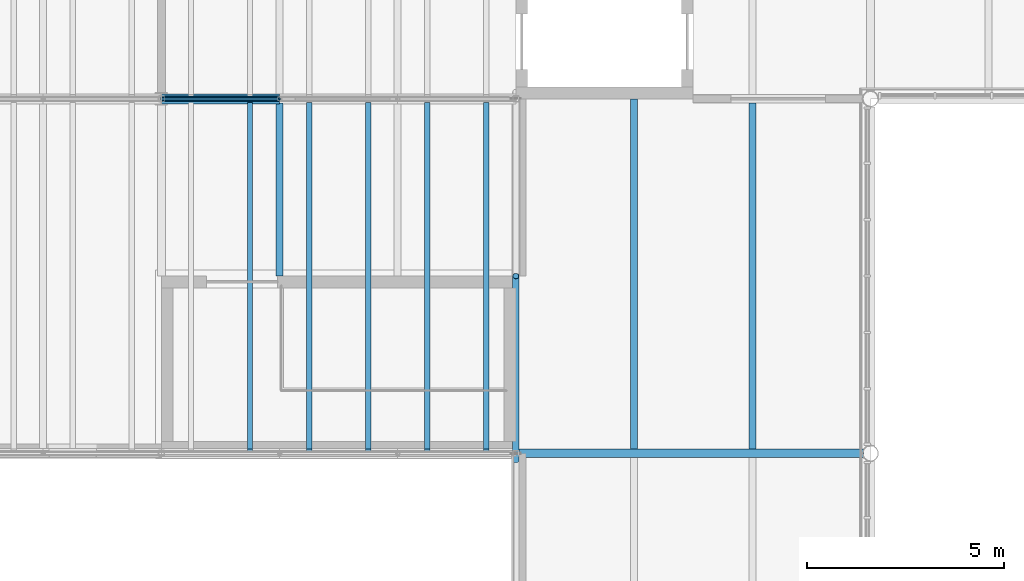
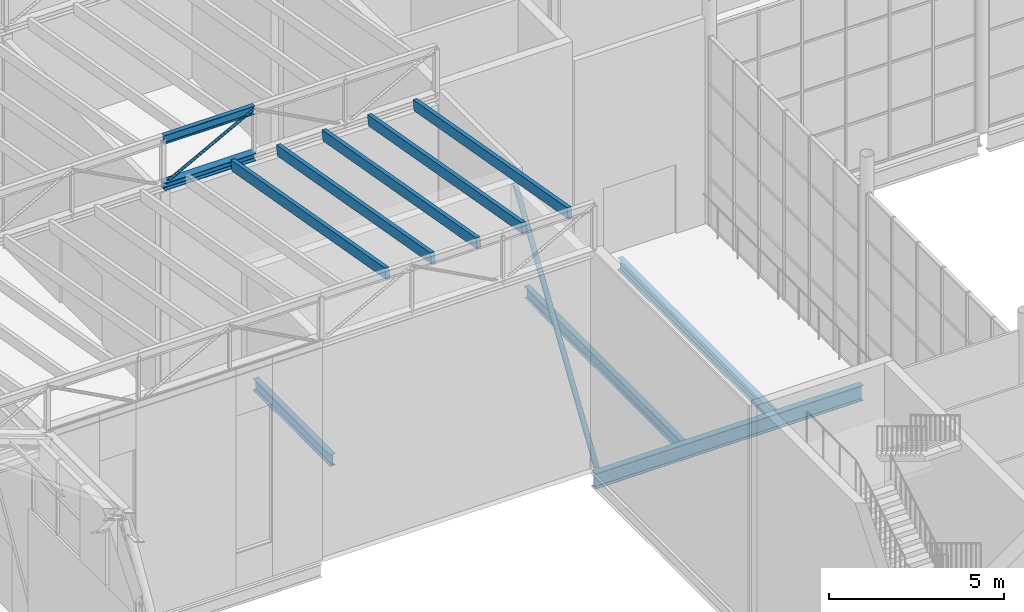
# One storey, part 51 of 90: 9 members, 4 beams.
"""IFC4 building model written with IfcOpenShell, lengths in metres."""

from ifc_helpers import new_model, si_unit, direction, frame, origin, origin_2d, place, context, subcontext, project, spatial, rectangle, hollow_circle, i_section, extrude, material, material_profile, profile_set, type_object, element, save


model = new_model("IFC4")

# Units and contexts
model_context = context("Model", 3, precision=1e-05, world=origin(), true_north=direction((0.0, 1.0)))
body_context = subcontext(model_context, "Body", "Model", "MODEL_VIEW")
ifc_project = project(units=[si_unit("LENGTHUNIT", "METRE"), si_unit("AREAUNIT", "SQUARE_METRE"), si_unit("VOLUMEUNIT", "CUBIC_METRE"), si_unit("PLANEANGLEUNIT", "RADIAN"), si_unit("MASSUNIT", "GRAM", prefix="KILO")], contexts=[model_context])

# Site, building, storey
site_placement = place(None, origin())
site = spatial("IfcSite", under=ifc_project, at=site_placement, CompositionType="ELEMENT")
building_placement = place(site_placement, origin())
building = spatial("IfcBuilding", under=site, at=building_placement, Name="Halyard Row Museum", CompositionType="ELEMENT")
storey_placement = place(building_placement, frame((0.0, 0.0, 13.39990234375)))
storey = spatial("IfcBuildingStorey", under=building, at=storey_placement, Name="L03", CompositionType="ELEMENT", Elevation=13.39990234375)

# Member
ifc_material_1 = material(Name="Steel Grade C350L0", Category="steel")
ifc_material_profile_1 = material_profile(ifc_material_1, hollow_circle(Radius=0.084228515625, WallThickness=0.007080078125, at=origin_2d()), Name="168.3x7.1CHS")
ifc_profile_set_1 = profile_set([ifc_material_profile_1], Name="Steel Grade C350L0")
member_type_1 = type_object("IfcMemberType", Name="Brace 168.3x7.1CHS", PredefinedType="BRACE", material=ifc_profile_set_1)
member_1_placement = place(storey_placement, frame((72.0, 17.830078125, 0.084228515625), z_axis=(0.0, 0.549136067158, 0.83573295959), x_axis=(-1.0, 0.0, 0.0)))
element("IfcMember", 1, at=member_1_placement, inside=storey, type_object=member_type_1, Name="Brace L03 X72 18-27 A", PredefinedType="BRACE", context=body_context, shape_type="SweptSolid", body=[
    extrude(hollow_circle(Radius=0.084228515625, WallThickness=0.007080078125, at=origin_2d()), origin(), (0.0, 0.0, 1.0), 8.504150390625),
])

# Beam
ifc_material_2 = material(Name="Steel Grade 300", Category="steel")
ifc_material_profile_2 = material_profile(ifc_material_2, i_section(OverallWidth=0.208984375, OverallDepth=0.532958984375, WebThickness=0.01025390625, FlangeThickness=0.015625, FilletRadius=0.013916015625, at=origin_2d()), Name="530UB92.4")
ifc_profile_set_2 = profile_set([ifc_material_profile_2], Name="Steel Grade 300")
beam_type_1 = type_object("IfcBeamType", Name="Girder beam 530UB92.4", PredefinedType="BEAM", material=ifc_profile_set_2)
beam_1_placement = place(storey_placement, frame((72.0, 18.0, -0.431396484375), z_axis=(1.0, 0.0, 0.0), x_axis=(0.0, 1.0, 0.0)))
element("IfcBeam", 2, at=beam_1_placement, inside=storey, type_object=beam_type_1, Name="Beam L03-016", PredefinedType="BEAM", context=body_context, shape_type="SweptSolid", body=[
    extrude(i_section(OverallWidth=0.208984375, OverallDepth=0.532958984375, WebThickness=0.01025390625, FlangeThickness=0.015625, FilletRadius=0.013916015625, at=origin_2d()), origin(), (0.0, 0.0, 1.0), 8.822265625),
])

# Members
ifc_material_3 = material(Name="Glulam GL12 radiata pine", Category="wood")
ifc_material_profile_3 = material_profile(ifc_material_3, rectangle(XDim=0.135009765625, YDim=0.360107421875, at=origin_2d()), Name="GL12 135x360")
ifc_profile_set_3 = profile_set([ifc_material_profile_3], Name="Glulam GL12 radiata pine")
member_type_2 = type_object("IfcMemberType", Name="Rafter GL12 135x360", PredefinedType="RAFTER", material=ifc_profile_set_3)
for number, where, z_axis, x_axis, name in (
    (3, (65.25, 18.074462890625, 9.083984375), (0.0, 0.984562193919, -0.175035100209), (-1.0, 0.0, 0.0), "Rafter V1-T1a.26"),
    (4, (66.75, 18.074462890625, 9.083984375), (0.0, 0.984562193919, -0.175035100209), (-1.0, 0.0, 0.0), "Rafter V1-T1a.27"),
    (5, (68.25, 18.074462890625, 9.083984375), (0.0, 0.984562193919, -0.175035100209), (-1.0, 0.0, 0.0), "Rafter V1-T1a.28"),
    (6, (69.75, 18.074462890625, 9.083984375), (0.0, 0.984562193919, -0.175035100209), (-1.0, 0.0, 0.0), "Rafter V1-T1a.29"),
    (7, (71.25, 18.074462890625, 9.083984375), (0.0, 0.984562193919, -0.175035100209), (-1.0, 0.0, 0.0), "Rafter V1-T1a.30"),
):
    element("IfcMember", number, at=place(storey_placement, frame(where, z_axis=z_axis, x_axis=x_axis)), inside=storey, type_object=member_type_2, Name=name, PredefinedType="RAFTER", context=body_context, shape_type="SweptSolid", body=[
        extrude(rectangle(XDim=0.135009765625, YDim=0.360107421875, at=origin_2d()), origin(), (0.0, 0.0, 1.0), 8.9365234375),
    ])

# Beams
ifc_material_4 = material(Name="Steel Grade 300", Category="steel")
ifc_material_profile_4 = material_profile(ifc_material_4, i_section(OverallWidth=0.177978515625, OverallDepth=0.406494140625, WebThickness=0.0078125, FlangeThickness=0.0126953125, FilletRadius=0.011474609375, at=origin_2d()), Name="410UB59.7")
ifc_profile_set_4 = profile_set([ifc_material_profile_4], Name="Steel Grade 300")
beam_type_2 = type_object("IfcBeamType", Name="Secondary beam 410UB59.7", PredefinedType="BEAM", material=ifc_profile_set_4)
beam_2_placement = place(storey_placement, frame((75.0, 18.1044921875, -0.3681640625), z_axis=(0.0, 1.0, 0.0), x_axis=(-1.0, 0.0, 0.0)))
element("IfcBeam", 8, at=beam_2_placement, inside=storey, type_object=beam_type_2, Name="Beam L03-091", PredefinedType="BEAM", context=body_context, shape_type="SweptSolid", body=[
    extrude(i_section(OverallWidth=0.177978515625, OverallDepth=0.406494140625, WebThickness=0.0078125, FlangeThickness=0.0126953125, FilletRadius=0.011474609375, at=origin_2d()), origin(), (0.0, 0.0, 1.0), 8.8955078125),
])
beam_3_placement = place(storey_placement, frame((78.0, 18.1044921875, -0.3681640625), z_axis=(0.0, 1.0, 0.0), x_axis=(-1.0, 0.0, 0.0)))
element("IfcBeam", 9, at=beam_3_placement, inside=storey, type_object=beam_type_2, Name="Beam L03-092", PredefinedType="BEAM", context=body_context, shape_type="SweptSolid", body=[
    extrude(i_section(OverallWidth=0.177978515625, OverallDepth=0.406494140625, WebThickness=0.0078125, FlangeThickness=0.0126953125, FilletRadius=0.011474609375, at=origin_2d()), origin(), (0.0, 0.0, 1.0), 8.791015625),
])
beam_4_placement = place(storey_placement, frame((66.0, 22.5, -0.3681640625), z_axis=(0.0, 1.0, 0.0), x_axis=(-1.0, 0.0, 0.0)))
element("IfcBeam", 10, at=beam_4_placement, inside=storey, type_object=beam_type_2, Name="Beam L03-097", PredefinedType="BEAM", context=body_context, shape_type="SweptSolid", body=[
    extrude(i_section(OverallWidth=0.177978515625, OverallDepth=0.406494140625, WebThickness=0.0078125, FlangeThickness=0.0126953125, FilletRadius=0.011474609375, at=origin_2d()), origin(), (0.0, 0.0, 1.0), 4.3955078125),
])

# Members
ifc_material_5 = material(Name="Steel Grade 300", Category="steel")
ifc_material_profile_5 = material_profile(ifc_material_5, i_section(OverallWidth=0.25390625, OverallDepth=0.25390625, WebThickness=0.008544921875, FlangeThickness=0.01416015625, FilletRadius=0.013916015625, at=origin_2d()), Name="250UC72.9")
ifc_profile_set_5 = profile_set([ifc_material_profile_5], Name="Steel Grade 300")
member_type_3 = type_object("IfcMemberType", Name="Valley truss bottom chord 250UC72.9", PredefinedType="CHORD", material=ifc_profile_set_5)
member_2_placement = place(storey_placement, frame((63.0, 27.0, 7.527099609375), z_axis=(1.0, 0.0, 0.0), x_axis=(0.0, 1.0, 0.0)))
element("IfcMember", 11, at=member_2_placement, inside=storey, type_object=member_type_3, Name="V1-VT2 bottom chord 5.1", PredefinedType="CHORD", context=body_context, shape_type="SweptSolid", body=[
    extrude(i_section(OverallWidth=0.25390625, OverallDepth=0.25390625, WebThickness=0.008544921875, FlangeThickness=0.01416015625, FilletRadius=0.013916015625, at=origin_2d()), origin(), (0.0, 0.0, 1.0), 3.0),
])
ifc_material_6 = material(Name="Steel Grade C250L0", Category="steel")
ifc_material_profile_6 = material_profile(ifc_material_6, hollow_circle(Radius=0.04443359375, WallThickness=0.0048828125, at=origin_2d()), Name="88.9x5.0CHS")
ifc_profile_set_6 = profile_set([ifc_material_profile_6], Name="Steel Grade C250L0")
member_type_4 = type_object("IfcMemberType", Name="Valley truss diagonal 88.9x5.0CHS", PredefinedType="BRACE", material=ifc_profile_set_6)
member_3_placement = place(storey_placement, frame((63.0, 27.0, 7.527099609375), z_axis=(0.881863759518, 0.0, 0.471504305016), x_axis=(0.0, 1.0, 0.0)))
element("IfcMember", 12, at=member_3_placement, inside=storey, type_object=member_type_4, Name="V1-VT2 diagonal 5.1", PredefinedType="BRACE", context=body_context, shape_type="SweptSolid", body=[
    extrude(hollow_circle(Radius=0.04443359375, WallThickness=0.0048828125, at=origin_2d()), origin(), (0.0, 0.0, 1.0), 3.40185546875),
])
ifc_material_7 = material(Name="Steel Grade 300", Category="steel")
ifc_material_profile_7 = material_profile(ifc_material_7, i_section(OverallWidth=0.14892578125, OverallDepth=0.298095703125, WebThickness=0.005615234375, FlangeThickness=0.008056640625, FilletRadius=0.012939453125, at=origin_2d()), Name="310UB32.0")
ifc_profile_set_7 = profile_set([ifc_material_profile_7], Name="Steel Grade 300")
member_type_5 = type_object("IfcMemberType", Name="Valley truss top chord 310UB32.0", PredefinedType="CHORD", material=ifc_profile_set_7)
member_4_placement = place(storey_placement, frame((63.0, 27.0, 9.131103515625), z_axis=(1.0, 0.0, 0.0), x_axis=(0.0, 1.0, 0.0)))
element("IfcMember", 13, at=member_4_placement, inside=storey, type_object=member_type_5, Name="V1-VT2 top chord 5.1", PredefinedType="CHORD", context=body_context, shape_type="SweptSolid", body=[
    extrude(i_section(OverallWidth=0.14892578125, OverallDepth=0.298095703125, WebThickness=0.005615234375, FlangeThickness=0.008056640625, FilletRadius=0.012939453125, at=origin_2d()), origin(), (0.0, 0.0, 1.0), 3.0),
])

save(model, "model.ifc")
